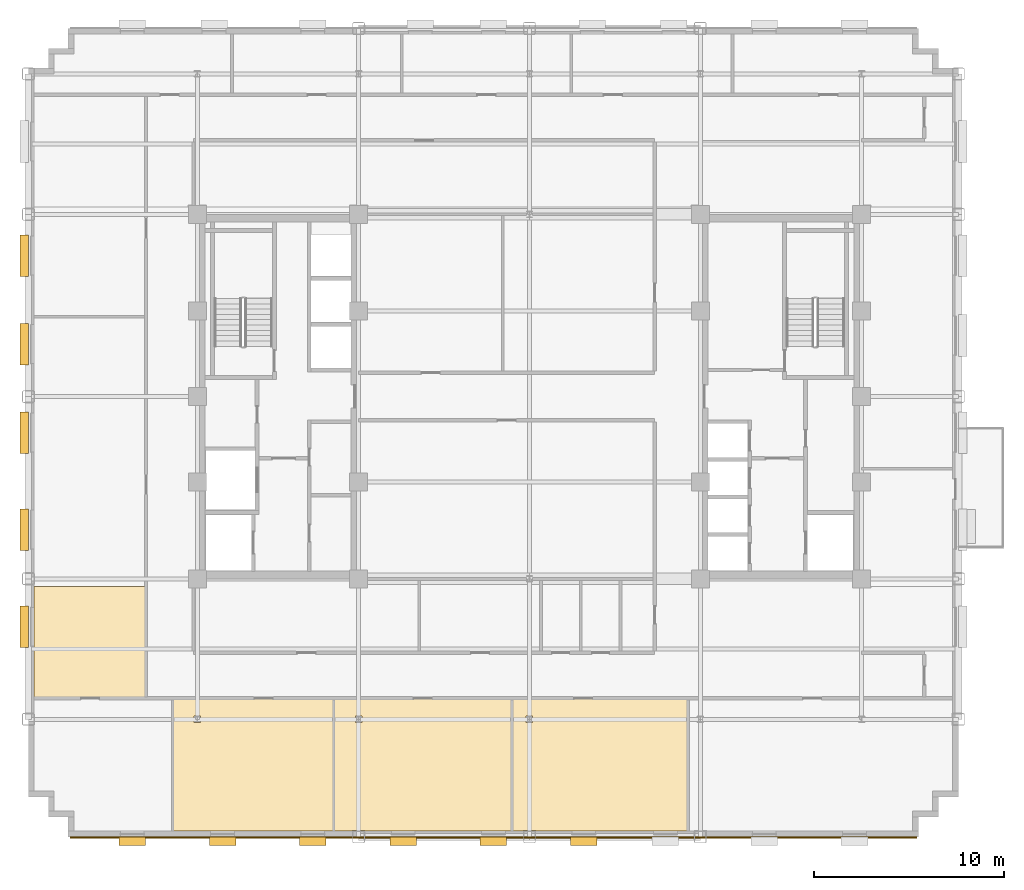
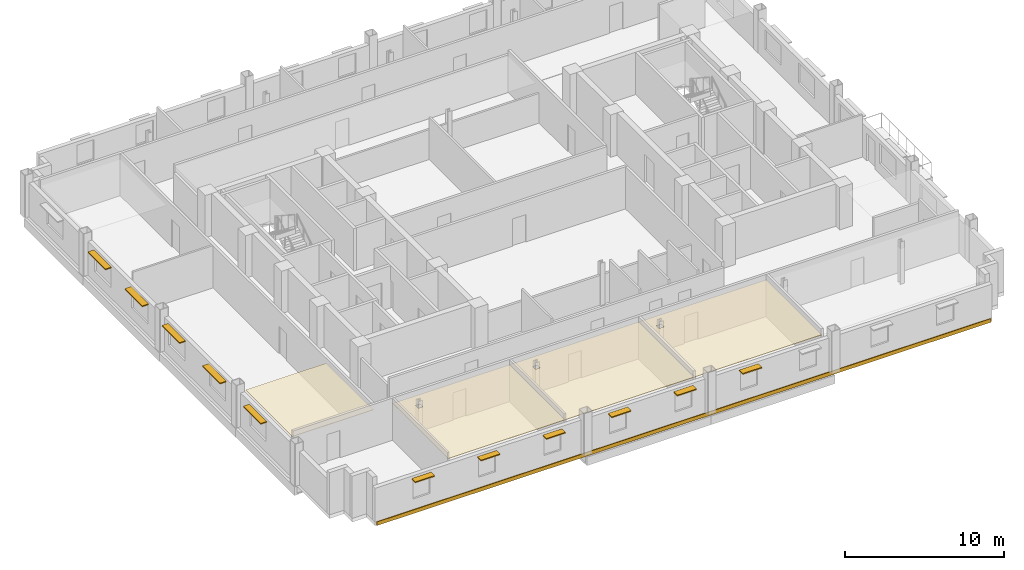
# One storey, part 11 of 14: 11 shading devices, 5 coverings.
"""IFC4 building model written with IfcOpenShell, lengths in metres."""

from ifc_helpers import new_model, si_unit, direction, frame, origin, origin_2d, place, context, subcontext, project, spatial, polyline, rectangle, outline, extrude, source, transform, mapped, material, layer, layer_set, type_object, type_shapes, element, save


model = new_model("IFC4")

# Units and contexts
model_context = context("Model", 3, precision=1e-05, world=origin(), true_north=direction((0.0, 1.0)))
body_context = subcontext(model_context, "Body", "Model", "MODEL_VIEW")
ifc_project = project(units=[si_unit("LENGTHUNIT", "METRE"), si_unit("AREAUNIT", "SQUARE_METRE"), si_unit("VOLUMEUNIT", "CUBIC_METRE"), si_unit("PLANEANGLEUNIT", "RADIAN"), si_unit("MASSUNIT", "GRAM", prefix="KILO")], contexts=[model_context])

# Site, building, storey
site_placement = place(None, origin())
site = spatial("IfcSite", under=ifc_project, at=site_placement, CompositionType="ELEMENT")
building_placement = place(site_placement, origin())
building = spatial("IfcBuilding", under=site, at=building_placement, Name="Nuvemarco Arch Tower", CompositionType="ELEMENT")
storey_placement = place(building_placement, frame((0.0, 0.0, 182.25)))
storey = spatial("IfcBuildingStorey", under=building, at=storey_placement, Name="L48", CompositionType="ELEMENT", Elevation=182.25)

# Coverings
ifc_material_1 = material(Name="Mineral acoustic ceiling tile")
ifc_layer_1 = layer(ifc_material_1, 0.0400390625, Name="COV-ACOUSTIC-CLG")
ifc_layer_set_1 = layer_set([ifc_layer_1], Name="Mineral acoustic ceiling tile")
covering_type_1 = type_object("IfcCoveringType", Name="COV-ACOUSTIC-CLG", PredefinedType="CEILING", material=ifc_layer_set_1)
covering_1_placement = place(storey_placement, frame((0.0, 0.0, 2.72998046875)))
element("IfcCovering", 1, at=covering_1_placement, inside=storey, type_object=covering_type_1, Name="L48 suspended acoustic ceiling 1", PredefinedType="CEILING", context=body_context, shape_type="SweptSolid", body=[
    extrude(outline(polyline([(-20.199951171875, -13.5), (-20.199951171875, -15.89990234375), (-26.090087890625, -15.89990234375), (-26.090087890625, -10.0), (-20.199951171875, -10.0), (-20.199951171875, -13.5)])), origin(), (0.0, 0.0, 1.0), 0.0400390625),
])
covering_2_placement = place(storey_placement, frame((0.0, 0.0, 2.72998046875)))
element("IfcCovering", 2, at=covering_2_placement, inside=storey, type_object=covering_type_1, Name="L48 suspended acoustic ceiling 6", PredefinedType="CEILING", context=body_context, shape_type="SweptSolid", body=[
    extrude(outline(polyline([(-8.659912109375, -22.889892578125), (-8.659912109375, -22.860107421875), (-9.340087890625, -22.860107421875), (-9.340087890625, -22.889892578125), (-10.31005859375, -22.889892578125), (-10.31005859375, -15.89990234375), (-0.919921875, -15.89990234375), (-0.919921875, -22.889892578125), (-8.659912109375, -22.889892578125)]), holes=[polyline([(-8.830078125, -17.169921875), (-8.830078125, -16.830078125), (-9.169921875, -16.830078125), (-9.169921875, -17.169921875), (-8.830078125, -17.169921875)])]), origin(), (0.0, 0.0, 1.0), 0.0400390625),
])
covering_3_placement = place(storey_placement, frame((0.0, 0.0, 2.72998046875)))
element("IfcCovering", 3, at=covering_3_placement, inside=storey, type_object=covering_type_1, Name="L48 suspended acoustic ceiling 7", PredefinedType="CEILING", context=body_context, shape_type="SweptSolid", body=[
    extrude(outline(polyline([(8.35009765625, -22.889892578125), (0.340087890625, -22.889892578125), (0.340087890625, -22.860107421875), (-0.340087890625, -22.860107421875), (-0.340087890625, -22.889892578125), (-0.919921875, -22.889892578125), (-0.919921875, -15.89990234375), (6.60009765625, -15.89990234375), (8.35009765625, -15.89990234375), (8.35009765625, -22.889892578125)]), holes=[polyline([(0.169921875, -17.169921875), (0.169921875, -16.830078125), (-0.169921875, -16.830078125), (-0.169921875, -17.169921875), (0.169921875, -17.169921875)])]), origin(), (0.0, 0.0, 1.0), 0.0400390625),
])
covering_4_placement = place(storey_placement, frame((0.0, 0.0, 2.72998046875)))
element("IfcCovering", 4, at=covering_4_placement, inside=storey, type_object=covering_type_1, Name="L48 suspended acoustic ceiling 8", PredefinedType="CEILING", context=body_context, shape_type="SweptSolid", body=[
    extrude(outline(polyline([(-10.31005859375, -22.889892578125), (-18.800048828125, -22.889892578125), (-18.800048828125, -15.89990234375), (-17.699951171875, -15.89990234375), (-10.31005859375, -15.89990234375), (-10.31005859375, -22.889892578125)]), holes=[polyline([(-17.330078125, -16.830078125), (-17.669921875, -16.830078125), (-17.669921875, -17.169921875), (-17.330078125, -17.169921875), (-17.330078125, -16.830078125)])]), origin(), (0.0, 0.0, 1.0), 0.0400390625),
])

# Shading devices
ifc_material_2 = material(Name="Anodised aluminium 6063-T6", Category="aluminium")
shading_device_type_1 = type_object("IfcShadingDeviceType", Name="SHD-BRISE-SOLEIL", PredefinedType="USERDEFINED", material=ifc_material_2)
shared_shape_1 = source(origin(), body_context, "Body", "SweptSolid", [
    extrude(rectangle(XDim=2.199951171875, YDim=0.449951171875, at=origin_2d()), origin(), (0.0, 0.0, 1.0), 0.080078125),
])
type_shapes(shading_device_type_1, [shared_shape_1])
for number, where, z_axis, x_axis, name in (
    (5, (-26.614990234375, -12.125, 2.324951171875), (0.0, 0.0, 1.0), (0.0, 1.0, 0.0), "L48 horizontal brise-soleil sunshade"),
    (6, (-26.614990234375, -7.0126953125, 2.324951171875), (0.0, 0.0, 1.0), (0.0, 1.0, 0.0), "L48 horizontal brise-soleil sunshade"),
    (7, (-26.614990234375, -1.89990234375, 2.324951171875), (0.0, 0.0, 1.0), (0.0, 1.0, 0.0), "L48 horizontal brise-soleil sunshade"),
    (8, (-26.614990234375, 2.7626953125, 2.324951171875), (0.0, 0.0, 1.0), (0.0, 1.0, 0.0), "L48 horizontal brise-soleil sunshade"),
    (9, (-26.614990234375, 7.425048828125, 2.324951171875), (0.0, 0.0, 1.0), (0.0, 1.0, 0.0), "L48 horizontal brise-soleil sunshade"),
):
    element("IfcShadingDevice", number, at=place(storey_placement, frame(where, z_axis=z_axis, x_axis=x_axis)), inside=storey, type_object=shading_device_type_1, Name=name, ObjectType="SUNSHADE", PredefinedType="USERDEFINED", context=body_context, shape_type="MappedRepresentation", body=[
        mapped(shared_shape_1, transform((0.0, 0.0, 0.0), scale=1.0)),
    ])
shading_device_type_2 = type_object("IfcShadingDeviceType", Name="SHD-BRISE-NARROW", PredefinedType="USERDEFINED", material=ifc_material_2)
shared_shape_2 = source(origin(), body_context, "Body", "SweptSolid", [
    extrude(rectangle(XDim=1.39990234375, YDim=0.449951171875, at=origin_2d()), origin(), (0.0, 0.0, 1.0), 0.080078125),
])
type_shapes(shading_device_type_2, [shared_shape_2])
for number, where, z_axis, x_axis, name in (
    (10, (-20.922119140625, -23.4150390625, 2.324951171875), (0.0, 0.0, 1.0), (1.0, 0.0, 0.0), "L48 horizontal brise-soleil sunshade"),
    (11, (-16.166748046875, -23.4150390625, 2.324951171875), (0.0, 0.0, 1.0), (1.0, 0.0, 0.0), "L48 horizontal brise-soleil sunshade"),
    (12, (-11.4111328125, -23.4150390625, 2.324951171875), (0.0, 0.0, 1.0), (1.0, 0.0, 0.0), "L48 horizontal brise-soleil sunshade"),
    (13, (-6.655517578125, -23.4150390625, 2.324951171875), (0.0, 0.0, 1.0), (1.0, 0.0, 0.0), "L48 horizontal brise-soleil sunshade"),
    (14, (-1.89990234375, -23.4150390625, 2.324951171875), (0.0, 0.0, 1.0), (1.0, 0.0, 0.0), "L48 horizontal brise-soleil sunshade"),
    (15, (2.855712890625, -23.4150390625, 2.324951171875), (0.0, 0.0, 1.0), (1.0, 0.0, 0.0), "L48 horizontal brise-soleil sunshade"),
):
    element("IfcShadingDevice", number, at=place(storey_placement, frame(where, z_axis=z_axis, x_axis=x_axis)), inside=storey, type_object=shading_device_type_2, Name=name, ObjectType="SUNSHADE", PredefinedType="USERDEFINED", context=body_context, shape_type="MappedRepresentation", body=[
        mapped(shared_shape_2, transform((0.0, 0.0, 0.0), scale=1.0)),
    ])

# Covering
ifc_material_3 = material(Name="Precast concrete C45/55", Category="concrete")
ifc_layer_2 = layer(ifc_material_3, 0.06005859375, Name="COV-SPANDREL-CLAD")
ifc_layer_set_2 = layer_set([ifc_layer_2], Name="Precast concrete C45/55")
covering_type_2 = type_object("IfcCoveringType", Name="COV-SPANDREL-CLAD", PredefinedType="CLADDING", material=ifc_layer_set_2)
shared_shape_3 = source(origin(), body_context, "Body", "SweptSolid", [
    extrude(rectangle(XDim=44.60009765625, YDim=0.06005859375, at=origin_2d()), origin(), (0.0, 0.0, 1.0), 0.280029296875),
])
type_shapes(covering_type_2, [shared_shape_3])
covering_5_placement = place(storey_placement, frame((-1.89990234375, -23.22900390625, -0.27978515625), z_axis=(0.0, 0.0, 1.0), x_axis=(1.0, 0.0, 0.0)))
element("IfcCovering", 16, at=covering_5_placement, inside=storey, type_object=covering_type_2, Name="L48 precast spandrel edge cladding south", PredefinedType="CLADDING", context=body_context, shape_type="MappedRepresentation", body=[
    mapped(shared_shape_3, transform((0.0, 0.0, 0.0), scale=1.0)),
])

save(model, "model.ifc")
